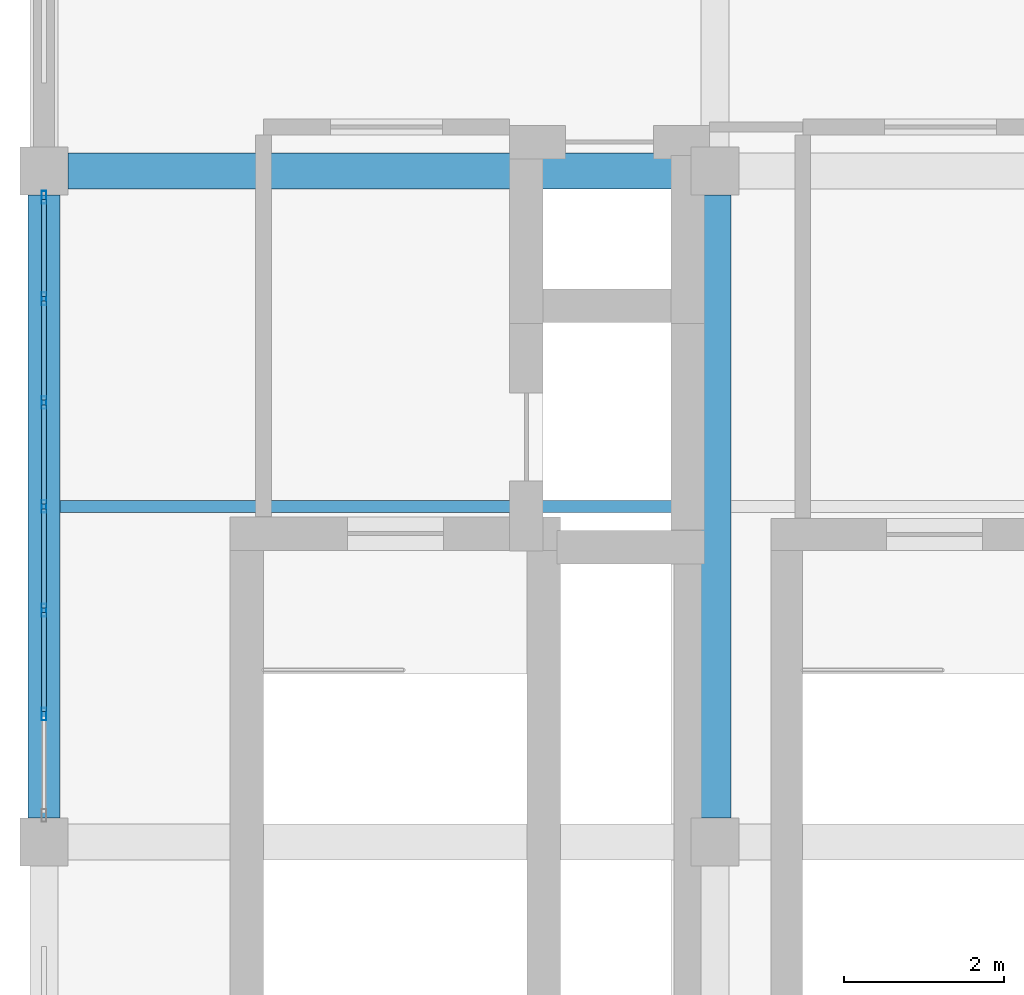
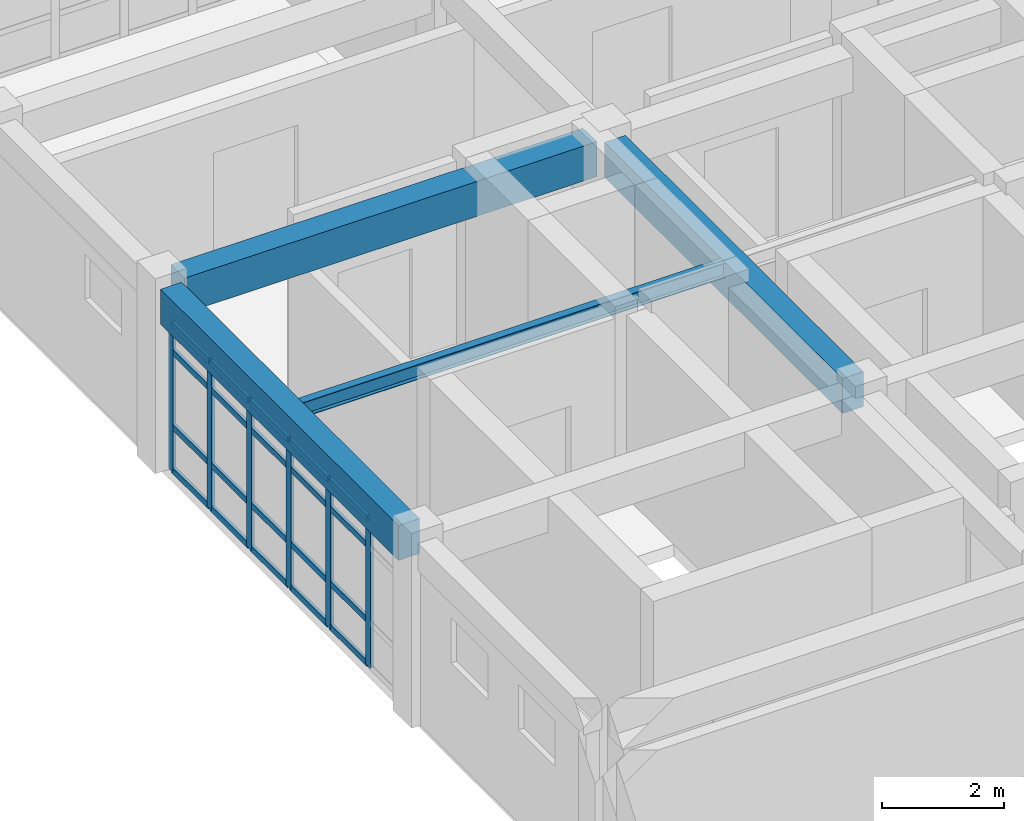
# One storey, part 7 of 17: 26 members, 4 beams, 1 element without a shape of its own.
"""IFC4 building model written with IfcOpenShell, lengths in metres."""

import ifcopenshell
import ifcopenshell.guid

model = None  # the IFC model being written
_history = None  # IfcOwnerHistory: only IFC2X3 demands one
_inside = {}  # id of a spatial element -> (the spatial element, [elements in it])
_under = {}  # id of a project, library or spatial element -> (it, [spatial elements below it])
_declared = {}  # id of a project -> (the project, [libraries it declares])
_typed = {}  # id of a type object -> (the type object, [elements of that type])
_made_of = {}  # id of a material, layer set ... -> (it, [elements and type objects made of it])


def new_model(schema):
    """Start an empty IFC model of exactly this schema.

    Asked for "IFC4X3", IfcOpenShell would pick the latest addendum, in which some entities
    have other attributes; the version numbers below select the first issue.
    IFC2X3 requires an IfcOwnerHistory on every rooted entity: one is made here for all.
    """
    global model, _history
    if schema == "IFC4X3":
        model = ifcopenshell.file(schema_version=(4, 3, 0, 0))
    else:
        model = ifcopenshell.file(schema=schema)
    _inside.clear()
    _under.clear()
    _declared.clear()
    _typed.clear()
    _made_of.clear()
    _history = None
    if model.schema == "IFC2X3":
        org = make("IfcOrganization", Name="unknown")
        user = make(
            "IfcPersonAndOrganization",
            ThePerson=make("IfcPerson", FamilyName="unknown"),
            TheOrganization=org,
        )
        app = make(
            "IfcApplication",
            ApplicationDeveloper=org,
            Version="unknown",
            ApplicationFullName="unknown",
            ApplicationIdentifier="unknown",
        )
        _history = make(
            "IfcOwnerHistory",
            OwningUser=user,
            OwningApplication=app,
            ChangeAction="ADDED",
            CreationDate=0,
        )
    return model


def make(cls, **values):
    """One entity of the class cls with the attributes given. An attribute that is None is left unset."""
    return model.create_entity(
        cls, **{name: value for name, value in values.items() if value is not None}
    )


def rooted(cls, **values):
    """An entity with a GlobalId (a new one), such as an element, a storey or a relation."""
    return make(cls, GlobalId=ifcopenshell.guid.new(), OwnerHistory=_history, **values)


def si_unit(unit_type, name, prefix=None):
    """IfcSIUnit, for example si_unit("LENGTHUNIT", "METRE", prefix="MILLI")."""
    return make("IfcSIUnit", UnitType=unit_type, Prefix=prefix, Name=name)


def assignment(units):
    """IfcUnitAssignment: the units of a project."""
    return None if units is None else make("IfcUnitAssignment", Units=units)


def point(xyz):
    """IfcCartesianPoint."""
    return None if xyz is None else make("IfcCartesianPoint", Coordinates=xyz)


def direction(xyz):
    """IfcDirection."""
    return None if xyz is None else make("IfcDirection", DirectionRatios=xyz)


def frame(location, z_axis=None, x_axis=None):
    """IfcAxis2Placement3D, a coordinate frame: its origin and axes. An axis left out is left unset."""
    return make(
        "IfcAxis2Placement3D",
        Location=point(location),
        Axis=direction(z_axis),
        RefDirection=direction(x_axis),
    )


def frame_2d(location, x_axis=None):
    """IfcAxis2Placement2D, a coordinate frame in the plane: its origin and x axis."""
    return make(
        "IfcAxis2Placement2D", Location=point(location), RefDirection=direction(x_axis)
    )


def origin():
    """The frame at (0, 0, 0) with its axes left unset."""
    return frame((0.0, 0.0, 0.0))


def origin_2d():
    """The frame at (0, 0) in the plane with its x axis left unset."""
    return frame_2d((0.0, 0.0))


def place(relative_to, where):
    """IfcLocalPlacement: puts the frame where relative to a parent placement (None: the world)."""
    return make(
        "IfcLocalPlacement", PlacementRelTo=relative_to, RelativePlacement=where
    )


def context(
    kind, dimensions, precision=None, world=None, true_north=None, identifier=None
):
    """IfcGeometricRepresentationContext, for example the 3D "Model" context."""
    return make(
        "IfcGeometricRepresentationContext",
        ContextIdentifier=identifier,
        ContextType=kind,
        CoordinateSpaceDimension=dimensions,
        Precision=precision,
        WorldCoordinateSystem=world,
        TrueNorth=true_north,
    )


def subcontext(parent, identifier, kind, view, scale=None):
    """IfcGeometricRepresentationSubContext, for example "Body" below "Model"."""
    return make(
        "IfcGeometricRepresentationSubContext",
        ContextIdentifier=identifier,
        ContextType=kind,
        ParentContext=parent,
        TargetScale=scale,
        TargetView=view,
    )


def project(units=None, contexts=None):
    """IfcProject with its units and contexts."""
    return rooted(
        "IfcProject",
        Name="project",
        RepresentationContexts=contexts,
        UnitsInContext=assignment(units),
    )


def spatial(cls, under=None, at=None, **own):
    """A site, building, storey or space (cls), placed at a placement, below another one or the project."""
    s = rooted(cls, ObjectPlacement=at, **own)
    if under is not None:
        _under.setdefault(under.id(), (under, []))[1].append(s)
    return s


def profile(cls, at=None, kind="AREA", **sizes):
    """A parametric profile (cls). Its sizes go by their IFC names, for example OverallWidth=200.0."""
    return make(cls, ProfileType=kind, Position=at, **sizes)


def rectangle(**sizes):
    """IfcRectangleProfileDef."""
    return profile("IfcRectangleProfileDef", **sizes)


def hollow_rectangle(**sizes):
    """IfcRectangleHollowProfileDef."""
    return profile("IfcRectangleHollowProfileDef", **sizes)


def i_section(**sizes):
    """IfcIShapeProfileDef."""
    return profile("IfcIShapeProfileDef", **sizes)


def extrude(swept, where, along, depth):
    """IfcExtrudedAreaSolid: the profile swept, set in the frame where, extruded along a direction by depth."""
    return make(
        "IfcExtrudedAreaSolid",
        SweptArea=swept,
        Position=where,
        ExtrudedDirection=direction(along),
        Depth=depth,
    )


def shape(context_of_items, identifier, shape_type, items):
    """IfcShapeRepresentation: the items that make up one representation, for example the "Body"."""
    return make(
        "IfcShapeRepresentation",
        ContextOfItems=context_of_items,
        RepresentationIdentifier=identifier,
        RepresentationType=shape_type,
        Items=items,
    )


def material(Name=None, Category=None):
    """IfcMaterial."""
    return make("IfcMaterial", Name=Name, Category=Category)


def layer(
    of_material, thickness, ventilated=None, Name=None, Category=None, Priority=None
):
    """IfcMaterialLayer: one layer of a wall or slab, of a material (None: an air gap)."""
    return make(
        "IfcMaterialLayer",
        Material=of_material,
        LayerThickness=thickness,
        IsVentilated=ventilated,
        Name=Name,
        Category=Category,
        Priority=Priority,
    )


def layer_set(layers, Name=None):
    """IfcMaterialLayerSet."""
    return make("IfcMaterialLayerSet", MaterialLayers=layers, LayerSetName=Name)


def material_profile(
    of_material, cross_section, Name=None, Category=None, Priority=None
):
    """IfcMaterialProfile: a cross section and its material."""
    return make(
        "IfcMaterialProfile",
        Name=Name,
        Material=of_material,
        Profile=cross_section,
        Priority=Priority,
        Category=Category,
    )


def profile_set(profiles, Name=None, composite=None):
    """IfcMaterialProfileSet."""
    return make(
        "IfcMaterialProfileSet",
        Name=Name,
        MaterialProfiles=profiles,
        CompositeProfile=composite,
    )


def made_of(thing, what):
    """Note that an element or type object is made of a material, layer set ...; save() writes the relation."""
    if what is not None:
        _made_of.setdefault(what.id(), (what, []))[1].append(thing)
    return thing


def type_object(cls, material=None, **own):
    """A type object (cls), such as IfcWallType, which elements share."""
    return made_of(rooted(cls, **own), material)


def element(
    cls,
    number,
    at=None,
    inside=None,
    cuts=None,
    type_object=None,
    material=None,
    context=None,
    identifier="Body",
    shape_type=None,
    held_by="IfcProductDefinitionShape",
    body=None,
    shapes=None,
    **own,
):
    """One element of the class cls, such as IfcWall. Its Tag is "e" and its number.

    at: its placement. inside: the storey or other place that contains it. cuts: it is an
    opening in that element (IfcRelVoidsElement). A single representation is given by context,
    identifier, shape_type and body (its items); several are given by shapes. held_by: the class
    of the entity that holds the representations. save() writes the other relations.
    """
    e = rooted(cls, Tag="e%d" % number, ObjectPlacement=at, **own)
    if body is not None:
        shapes = [shape(context, identifier, shape_type, body)]
    if shapes is not None:
        e.Representation = make(held_by, Representations=shapes)
    if inside is not None:
        _inside.setdefault(inside.id(), (inside, []))[1].append(e)
    if cuts is not None:
        rooted(
            "IfcRelVoidsElement", RelatingBuildingElement=cuts, RelatedOpeningElement=e
        )
    if type_object is not None:
        _typed.setdefault(type_object.id(), (type_object, []))[1].append(e)
    return made_of(e, material)


def aggregate(whole, parts):
    """IfcRelAggregates: a whole, such as a stair, and the parts it consists of."""
    return rooted("IfcRelAggregates", RelatingObject=whole, RelatedObjects=parts)


def save(model, path):
    """Write the relations noted so far, then the file.

    IfcRelAggregates (storeys below a building ...), IfcRelContainedInSpatialStructure (elements
    in a storey), IfcRelDefinesByType, IfcRelAssociatesMaterial and IfcRelDeclares: one each for
    every whole, place, type object, material and project.
    """
    for whole, parts in _under.values():
        aggregate(whole, parts)
    for where, things in _inside.values():
        rooted(
            "IfcRelContainedInSpatialStructure",
            RelatedElements=things,
            RelatingStructure=where,
        )
    for kind, things in _typed.values():
        rooted("IfcRelDefinesByType", RelatedObjects=things, RelatingType=kind)
    for what, things in _made_of.values():
        rooted("IfcRelAssociatesMaterial", RelatedObjects=things, RelatingMaterial=what)
    for by, libraries in _declared.values():
        rooted("IfcRelDeclares", RelatingContext=by, RelatedDefinitions=libraries)
    model.write(path)


model = new_model("IFC4")

# Units and contexts
model_context = context("Model", 3, precision=1e-05, world=origin(), true_north=direction((0.0, 1.0)))
body_context = subcontext(model_context, "Body", "Model", "MODEL_VIEW")
ifc_project = project(units=[si_unit("LENGTHUNIT", "METRE"), si_unit("AREAUNIT", "SQUARE_METRE"), si_unit("VOLUMEUNIT", "CUBIC_METRE"), si_unit("PLANEANGLEUNIT", "RADIAN"), si_unit("MASSUNIT", "GRAM", prefix="KILO")], contexts=[model_context])

# Site, building, storey
site_placement = place(None, origin())
site = spatial("IfcSite", under=ifc_project, at=site_placement, CompositionType="ELEMENT")
building_placement = place(site_placement, origin())
building = spatial("IfcBuilding", under=site, at=building_placement, Name="Krzemoval Escarpment Law Courts", CompositionType="ELEMENT")
storey_placement = place(building_placement, frame((0.0, 0.0, 42.0)))
storey = spatial("IfcBuildingStorey", under=building, at=storey_placement, Name="L09", CompositionType="ELEMENT", Elevation=42.0)

# Beams
ifc_material_1 = material(Name="Concrete C40/50", Category="concrete")
ifc_material_profile_1 = material_profile(ifc_material_1, rectangle(XDim=0.39990234375, YDim=0.699951171875, at=origin_2d()), Name="RCB 400x700")
ifc_profile_set_1 = profile_set([ifc_material_profile_1], Name="Concrete C40/50")
beam_type_1 = type_object("IfcBeamType", Name="BM-RC-400x700", PredefinedType="BEAM", material=ifc_profile_set_1)
for number, where, z_axis, x_axis, name in (
    (1, (126.0, 99.89990234375, 3.31005859375), (0.0, 1.0, 0.0), (-1.0, 0.0, 0.0), "Beam FG-L09-2803"),
    (2, (134.39990234375, 99.89990234375, 3.31005859375), (0.0, 1.0, 0.0), (-1.0, 0.0, 0.0), "Beam FG-L09-2808"),
):
    element("IfcBeam", number, at=place(storey_placement, frame(where, z_axis=z_axis, x_axis=x_axis)), inside=storey, type_object=beam_type_1, Name=name, PredefinedType="BEAM", context=body_context, shape_type="SweptSolid", body=[
        extrude(rectangle(XDim=0.39990234375, YDim=0.699951171875, at=origin_2d()), origin(), (0.0, 0.0, 1.0), 7.800048828125),
    ])
ifc_material_2 = material(Name="Concrete C40/50", Category="concrete")
ifc_material_profile_2 = material_profile(ifc_material_2, rectangle(XDim=0.449951171875, YDim=0.699951171875, at=origin_2d()), Name="RCB 450x700")
ifc_profile_set_2 = profile_set([ifc_material_profile_2], Name="Concrete C40/50")
beam_type_2 = type_object("IfcBeamType", Name="BM-RC-450x700", PredefinedType="BEAM", material=ifc_profile_set_2)
beam_1_placement = place(storey_placement, frame((126.300048828125, 108.0, 3.31005859375), z_axis=(1.0, 0.0, 0.0), x_axis=(0.0, 1.0, 0.0)))
element("IfcBeam", 3, at=beam_1_placement, inside=storey, type_object=beam_type_2, Name="Beam FG-L09-2792", PredefinedType="BEAM", context=body_context, shape_type="SweptSolid", body=[
    extrude(rectangle(XDim=0.449951171875, YDim=0.699951171875, at=origin_2d()), origin(), (0.0, 0.0, 1.0), 7.800048828125),
])

# Curtain wall, members
ifc_material_3 = material(Name="Aluminium 6063-T6", Category="aluminium")
ifc_layer = layer(ifc_material_3, 0.199951171875)
ifc_layer_set = layer_set([ifc_layer], Name="Aluminium 6063-T6")
curtain_wall_type = type_object("IfcCurtainWallType", Name="CW-CRWN-3900", PredefinedType="USERDEFINED", material=ifc_layer_set)
curtain_wall_placement = place(storey_placement, origin())
curtain_wall = element("IfcCurtainWall", 4, at=curtain_wall_placement, inside=storey, type_object=curtain_wall_type, Name="Unitised Curtain Wall FCW-L09-169", ObjectType="UNITISED_CURTAIN_WALL", PredefinedType="USERDEFINED")
ifc_material_4 = material(Name="Aluminium 6063-T6", Category="aluminium")
ifc_material_profile_3 = material_profile(ifc_material_4, hollow_rectangle(XDim=0.06005859375, YDim=0.159912109375, WallThickness=0.00390625, at=origin_2d()), Name="ALU M60x160")
ifc_profile_set_3 = profile_set([ifc_material_profile_3], Name="Aluminium 6063-T6")
member_type_1 = type_object("IfcMemberType", Name="CWM-60x160", PredefinedType="MULLION", material=ifc_profile_set_3)
member_1_placement = place(storey_placement, frame((126.0, 101.199951171875, 0.0), z_axis=(0.0, 0.0, 1.0), x_axis=(-1.0, 0.0, 0.0)))
member_1 = element("IfcMember", 5, at=member_1_placement, type_object=member_type_1, Name="FCW-L09-169 mullion 2", PredefinedType="MULLION", context=body_context, shape_type="SweptSolid", body=[
    extrude(hollow_rectangle(XDim=0.06005859375, YDim=0.159912109375, WallThickness=0.00390625, at=origin_2d()), origin(), (0.0, 0.0, 1.0), 2.9599609375),
])
member_2_placement = place(storey_placement, frame((126.0, 102.5, 0.0), z_axis=(0.0, 0.0, 1.0), x_axis=(-1.0, 0.0, 0.0)))
member_2 = element("IfcMember", 6, at=member_2_placement, type_object=member_type_1, Name="FCW-L09-169 mullion 3", PredefinedType="MULLION", context=body_context, shape_type="SweptSolid", body=[
    extrude(hollow_rectangle(XDim=0.06005859375, YDim=0.159912109375, WallThickness=0.00390625, at=origin_2d()), origin(), (0.0, 0.0, 1.0), 2.9599609375),
])
member_3_placement = place(storey_placement, frame((126.0, 103.800048828125, 0.0), z_axis=(0.0, 0.0, 1.0), x_axis=(-1.0, 0.0, 0.0)))
member_3 = element("IfcMember", 7, at=member_3_placement, type_object=member_type_1, Name="FCW-L09-169 mullion 4", PredefinedType="MULLION", context=body_context, shape_type="SweptSolid", body=[
    extrude(hollow_rectangle(XDim=0.06005859375, YDim=0.159912109375, WallThickness=0.00390625, at=origin_2d()), origin(), (0.0, 0.0, 1.0), 2.9599609375),
])
member_4_placement = place(storey_placement, frame((126.0, 105.10009765625, 0.0), z_axis=(0.0, 0.0, 1.0), x_axis=(-1.0, 0.0, 0.0)))
member_4 = element("IfcMember", 8, at=member_4_placement, type_object=member_type_1, Name="FCW-L09-169 mullion 5", PredefinedType="MULLION", context=body_context, shape_type="SweptSolid", body=[
    extrude(hollow_rectangle(XDim=0.06005859375, YDim=0.159912109375, WallThickness=0.00390625, at=origin_2d()), origin(), (0.0, 0.0, 1.0), 2.9599609375),
])
member_5_placement = place(storey_placement, frame((126.0, 106.39990234375, 0.0), z_axis=(0.0, 0.0, 1.0), x_axis=(-1.0, 0.0, 0.0)))
member_5 = element("IfcMember", 9, at=member_5_placement, type_object=member_type_1, Name="FCW-L09-169 mullion 6", PredefinedType="MULLION", context=body_context, shape_type="SweptSolid", body=[
    extrude(hollow_rectangle(XDim=0.06005859375, YDim=0.159912109375, WallThickness=0.00390625, at=origin_2d()), origin(), (0.0, 0.0, 1.0), 2.9599609375),
])
member_6_placement = place(storey_placement, frame((126.0, 107.669921875, 0.0), z_axis=(0.0, 0.0, 1.0), x_axis=(-1.0, 0.0, 0.0)))
member_6 = element("IfcMember", 10, at=member_6_placement, type_object=member_type_1, Name="FCW-L09-169 mullion 7", PredefinedType="MULLION", context=body_context, shape_type="SweptSolid", body=[
    extrude(hollow_rectangle(XDim=0.06005859375, YDim=0.159912109375, WallThickness=0.00390625, at=origin_2d()), origin(), (0.0, 0.0, 1.0), 2.9599609375),
])
ifc_material_5 = material(Name="Aluminium 6063-T6", Category="aluminium")
ifc_material_profile_4 = material_profile(ifc_material_5, hollow_rectangle(XDim=0.06005859375, YDim=0.1201171875, WallThickness=0.00390625, at=origin_2d()), Name="ALU T60x120")
ifc_profile_set_4 = profile_set([ifc_material_profile_4], Name="Aluminium 6063-T6")
member_type_2 = type_object("IfcMemberType", Name="CWT-60x120", PredefinedType="USERDEFINED", material=ifc_profile_set_4)
member_7_placement = place(storey_placement, frame((126.0, 101.22998046875, 0.030029296875), z_axis=(0.0, 1.0, 0.0), x_axis=(-1.0, 0.0, 0.0)))
member_7 = element("IfcMember", 11, at=member_7_placement, type_object=member_type_2, Name="FCW-L09-169 transom 2.1", ObjectType="TRANSOM", PredefinedType="USERDEFINED", context=body_context, shape_type="SweptSolid", body=[
    extrude(hollow_rectangle(XDim=0.06005859375, YDim=0.1201171875, WallThickness=0.00390625, at=origin_2d()), origin(), (0.0, 0.0, 1.0), 1.239990234375),
])
member_8_placement = place(storey_placement, frame((126.0, 101.22998046875, 0.89990234375), z_axis=(0.0, 1.0, 0.0), x_axis=(-1.0, 0.0, 0.0)))
member_8 = element("IfcMember", 12, at=member_8_placement, type_object=member_type_2, Name="FCW-L09-169 transom 2.2", ObjectType="TRANSOM", PredefinedType="USERDEFINED", context=body_context, shape_type="SweptSolid", body=[
    extrude(hollow_rectangle(XDim=0.06005859375, YDim=0.1201171875, WallThickness=0.00390625, at=origin_2d()), origin(), (0.0, 0.0, 1.0), 1.239990234375),
])
member_9_placement = place(storey_placement, frame((126.0, 101.22998046875, 2.39990234375), z_axis=(0.0, 1.0, 0.0), x_axis=(-1.0, 0.0, 0.0)))
member_9 = element("IfcMember", 13, at=member_9_placement, type_object=member_type_2, Name="FCW-L09-169 transom 2.3", ObjectType="TRANSOM", PredefinedType="USERDEFINED", context=body_context, shape_type="SweptSolid", body=[
    extrude(hollow_rectangle(XDim=0.06005859375, YDim=0.1201171875, WallThickness=0.00390625, at=origin_2d()), origin(), (0.0, 0.0, 1.0), 1.239990234375),
])
member_10_placement = place(storey_placement, frame((126.0, 101.22998046875, 2.929931640625), z_axis=(0.0, 1.0, 0.0), x_axis=(-1.0, 0.0, 0.0)))
member_10 = element("IfcMember", 14, at=member_10_placement, type_object=member_type_2, Name="FCW-L09-169 transom 2.4", ObjectType="TRANSOM", PredefinedType="USERDEFINED", context=body_context, shape_type="SweptSolid", body=[
    extrude(hollow_rectangle(XDim=0.06005859375, YDim=0.1201171875, WallThickness=0.00390625, at=origin_2d()), origin(), (0.0, 0.0, 1.0), 1.239990234375),
])
member_11_placement = place(storey_placement, frame((126.0, 102.530029296875, 0.030029296875), z_axis=(0.0, 1.0, 0.0), x_axis=(-1.0, 0.0, 0.0)))
member_11 = element("IfcMember", 15, at=member_11_placement, type_object=member_type_2, Name="FCW-L09-169 transom 3.1", ObjectType="TRANSOM", PredefinedType="USERDEFINED", context=body_context, shape_type="SweptSolid", body=[
    extrude(hollow_rectangle(XDim=0.06005859375, YDim=0.1201171875, WallThickness=0.00390625, at=origin_2d()), origin(), (0.0, 0.0, 1.0), 1.239990234375),
])
member_12_placement = place(storey_placement, frame((126.0, 102.530029296875, 0.89990234375), z_axis=(0.0, 1.0, 0.0), x_axis=(-1.0, 0.0, 0.0)))
member_12 = element("IfcMember", 16, at=member_12_placement, type_object=member_type_2, Name="FCW-L09-169 transom 3.2", ObjectType="TRANSOM", PredefinedType="USERDEFINED", context=body_context, shape_type="SweptSolid", body=[
    extrude(hollow_rectangle(XDim=0.06005859375, YDim=0.1201171875, WallThickness=0.00390625, at=origin_2d()), origin(), (0.0, 0.0, 1.0), 1.239990234375),
])
member_13_placement = place(storey_placement, frame((126.0, 102.530029296875, 2.39990234375), z_axis=(0.0, 1.0, 0.0), x_axis=(-1.0, 0.0, 0.0)))
member_13 = element("IfcMember", 17, at=member_13_placement, type_object=member_type_2, Name="FCW-L09-169 transom 3.3", ObjectType="TRANSOM", PredefinedType="USERDEFINED", context=body_context, shape_type="SweptSolid", body=[
    extrude(hollow_rectangle(XDim=0.06005859375, YDim=0.1201171875, WallThickness=0.00390625, at=origin_2d()), origin(), (0.0, 0.0, 1.0), 1.239990234375),
])
member_14_placement = place(storey_placement, frame((126.0, 102.530029296875, 2.929931640625), z_axis=(0.0, 1.0, 0.0), x_axis=(-1.0, 0.0, 0.0)))
member_14 = element("IfcMember", 18, at=member_14_placement, type_object=member_type_2, Name="FCW-L09-169 transom 3.4", ObjectType="TRANSOM", PredefinedType="USERDEFINED", context=body_context, shape_type="SweptSolid", body=[
    extrude(hollow_rectangle(XDim=0.06005859375, YDim=0.1201171875, WallThickness=0.00390625, at=origin_2d()), origin(), (0.0, 0.0, 1.0), 1.239990234375),
])
member_15_placement = place(storey_placement, frame((126.0, 103.830078125, 0.030029296875), z_axis=(0.0, 1.0, 0.0), x_axis=(-1.0, 0.0, 0.0)))
member_15 = element("IfcMember", 19, at=member_15_placement, type_object=member_type_2, Name="FCW-L09-169 transom 4.1", ObjectType="TRANSOM", PredefinedType="USERDEFINED", context=body_context, shape_type="SweptSolid", body=[
    extrude(hollow_rectangle(XDim=0.06005859375, YDim=0.1201171875, WallThickness=0.00390625, at=origin_2d()), origin(), (0.0, 0.0, 1.0), 1.239990234375),
])
member_16_placement = place(storey_placement, frame((126.0, 103.830078125, 0.89990234375), z_axis=(0.0, 1.0, 0.0), x_axis=(-1.0, 0.0, 0.0)))
member_16 = element("IfcMember", 20, at=member_16_placement, type_object=member_type_2, Name="FCW-L09-169 transom 4.2", ObjectType="TRANSOM", PredefinedType="USERDEFINED", context=body_context, shape_type="SweptSolid", body=[
    extrude(hollow_rectangle(XDim=0.06005859375, YDim=0.1201171875, WallThickness=0.00390625, at=origin_2d()), origin(), (0.0, 0.0, 1.0), 1.239990234375),
])
member_17_placement = place(storey_placement, frame((126.0, 103.830078125, 2.39990234375), z_axis=(0.0, 1.0, 0.0), x_axis=(-1.0, 0.0, 0.0)))
member_17 = element("IfcMember", 21, at=member_17_placement, type_object=member_type_2, Name="FCW-L09-169 transom 4.3", ObjectType="TRANSOM", PredefinedType="USERDEFINED", context=body_context, shape_type="SweptSolid", body=[
    extrude(hollow_rectangle(XDim=0.06005859375, YDim=0.1201171875, WallThickness=0.00390625, at=origin_2d()), origin(), (0.0, 0.0, 1.0), 1.239990234375),
])
member_18_placement = place(storey_placement, frame((126.0, 103.830078125, 2.929931640625), z_axis=(0.0, 1.0, 0.0), x_axis=(-1.0, 0.0, 0.0)))
member_18 = element("IfcMember", 22, at=member_18_placement, type_object=member_type_2, Name="FCW-L09-169 transom 4.4", ObjectType="TRANSOM", PredefinedType="USERDEFINED", context=body_context, shape_type="SweptSolid", body=[
    extrude(hollow_rectangle(XDim=0.06005859375, YDim=0.1201171875, WallThickness=0.00390625, at=origin_2d()), origin(), (0.0, 0.0, 1.0), 1.239990234375),
])
member_19_placement = place(storey_placement, frame((126.0, 105.1298828125, 0.030029296875), z_axis=(0.0, 1.0, 0.0), x_axis=(-1.0, 0.0, 0.0)))
member_19 = element("IfcMember", 23, at=member_19_placement, type_object=member_type_2, Name="FCW-L09-169 transom 5.1", ObjectType="TRANSOM", PredefinedType="USERDEFINED", context=body_context, shape_type="SweptSolid", body=[
    extrude(hollow_rectangle(XDim=0.06005859375, YDim=0.1201171875, WallThickness=0.00390625, at=origin_2d()), origin(), (0.0, 0.0, 1.0), 1.240234375),
])
member_20_placement = place(storey_placement, frame((126.0, 105.1298828125, 0.89990234375), z_axis=(0.0, 1.0, 0.0), x_axis=(-1.0, 0.0, 0.0)))
member_20 = element("IfcMember", 24, at=member_20_placement, type_object=member_type_2, Name="FCW-L09-169 transom 5.2", ObjectType="TRANSOM", PredefinedType="USERDEFINED", context=body_context, shape_type="SweptSolid", body=[
    extrude(hollow_rectangle(XDim=0.06005859375, YDim=0.1201171875, WallThickness=0.00390625, at=origin_2d()), origin(), (0.0, 0.0, 1.0), 1.240234375),
])
member_21_placement = place(storey_placement, frame((126.0, 105.1298828125, 2.39990234375), z_axis=(0.0, 1.0, 0.0), x_axis=(-1.0, 0.0, 0.0)))
member_21 = element("IfcMember", 25, at=member_21_placement, type_object=member_type_2, Name="FCW-L09-169 transom 5.3", ObjectType="TRANSOM", PredefinedType="USERDEFINED", context=body_context, shape_type="SweptSolid", body=[
    extrude(hollow_rectangle(XDim=0.06005859375, YDim=0.1201171875, WallThickness=0.00390625, at=origin_2d()), origin(), (0.0, 0.0, 1.0), 1.240234375),
])
member_22_placement = place(storey_placement, frame((126.0, 105.1298828125, 2.929931640625), z_axis=(0.0, 1.0, 0.0), x_axis=(-1.0, 0.0, 0.0)))
member_22 = element("IfcMember", 26, at=member_22_placement, type_object=member_type_2, Name="FCW-L09-169 transom 5.4", ObjectType="TRANSOM", PredefinedType="USERDEFINED", context=body_context, shape_type="SweptSolid", body=[
    extrude(hollow_rectangle(XDim=0.06005859375, YDim=0.1201171875, WallThickness=0.00390625, at=origin_2d()), origin(), (0.0, 0.0, 1.0), 1.240234375),
])
member_23_placement = place(storey_placement, frame((126.0, 106.429931640625, 0.030029296875), z_axis=(0.0, 1.0, 0.0), x_axis=(-1.0, 0.0, 0.0)))
member_23 = element("IfcMember", 27, at=member_23_placement, type_object=member_type_2, Name="FCW-L09-169 transom 6.1", ObjectType="TRANSOM", PredefinedType="USERDEFINED", context=body_context, shape_type="SweptSolid", body=[
    extrude(hollow_rectangle(XDim=0.06005859375, YDim=0.1201171875, WallThickness=0.00390625, at=origin_2d()), origin(), (0.0, 0.0, 1.0), 1.2099609375),
])
member_24_placement = place(storey_placement, frame((126.0, 106.429931640625, 0.89990234375), z_axis=(0.0, 1.0, 0.0), x_axis=(-1.0, 0.0, 0.0)))
member_24 = element("IfcMember", 28, at=member_24_placement, type_object=member_type_2, Name="FCW-L09-169 transom 6.2", ObjectType="TRANSOM", PredefinedType="USERDEFINED", context=body_context, shape_type="SweptSolid", body=[
    extrude(hollow_rectangle(XDim=0.06005859375, YDim=0.1201171875, WallThickness=0.00390625, at=origin_2d()), origin(), (0.0, 0.0, 1.0), 1.2099609375),
])
member_25_placement = place(storey_placement, frame((126.0, 106.429931640625, 2.39990234375), z_axis=(0.0, 1.0, 0.0), x_axis=(-1.0, 0.0, 0.0)))
member_25 = element("IfcMember", 29, at=member_25_placement, type_object=member_type_2, Name="FCW-L09-169 transom 6.3", ObjectType="TRANSOM", PredefinedType="USERDEFINED", context=body_context, shape_type="SweptSolid", body=[
    extrude(hollow_rectangle(XDim=0.06005859375, YDim=0.1201171875, WallThickness=0.00390625, at=origin_2d()), origin(), (0.0, 0.0, 1.0), 1.2099609375),
])
member_26_placement = place(storey_placement, frame((126.0, 106.429931640625, 2.929931640625), z_axis=(0.0, 1.0, 0.0), x_axis=(-1.0, 0.0, 0.0)))
member_26 = element("IfcMember", 30, at=member_26_placement, type_object=member_type_2, Name="FCW-L09-169 transom 6.4", ObjectType="TRANSOM", PredefinedType="USERDEFINED", context=body_context, shape_type="SweptSolid", body=[
    extrude(hollow_rectangle(XDim=0.06005859375, YDim=0.1201171875, WallThickness=0.00390625, at=origin_2d()), origin(), (0.0, 0.0, 1.0), 1.2099609375),
])
aggregate(curtain_wall, [member_1, member_2, member_3, member_4, member_5, member_6, member_7, member_8, member_9, member_10, member_11, member_12, member_13, member_14, member_15, member_16, member_17, member_18, member_19, member_20, member_21, member_22, member_23, member_24, member_25, member_26])

# Beam
ifc_material_6 = material(Name="Steel S355", Category="steel")
ifc_material_profile_5 = material_profile(ifc_material_6, i_section(OverallWidth=0.14990234375, OverallDepth=0.300048828125, WebThickness=0.007080078125, FlangeThickness=0.0107421875, at=origin_2d()), Name="IPE 300")
ifc_profile_set_5 = profile_set([ifc_material_profile_5], Name="Steel S355")
beam_type_3 = type_object("IfcBeamType", Name="JST-S355-IPE300", PredefinedType="JOIST", material=ifc_profile_set_5)
beam_2_placement = place(storey_placement, frame((126.199951171875, 103.800048828125, 3.510009765625), z_axis=(1.0, 0.0, 0.0), x_axis=(0.0, 1.0, 0.0)))
element("IfcBeam", 31, at=beam_2_placement, inside=storey, type_object=beam_type_3, Name="Secondary Joist FJ-L09-2821", PredefinedType="JOIST", context=body_context, shape_type="SweptSolid", body=[
    extrude(i_section(OverallWidth=0.14990234375, OverallDepth=0.300048828125, WebThickness=0.007080078125, FlangeThickness=0.0107421875, at=origin_2d()), origin(), (0.0, 0.0, 1.0), 8.0),
])

save(model, "model.ifc")
